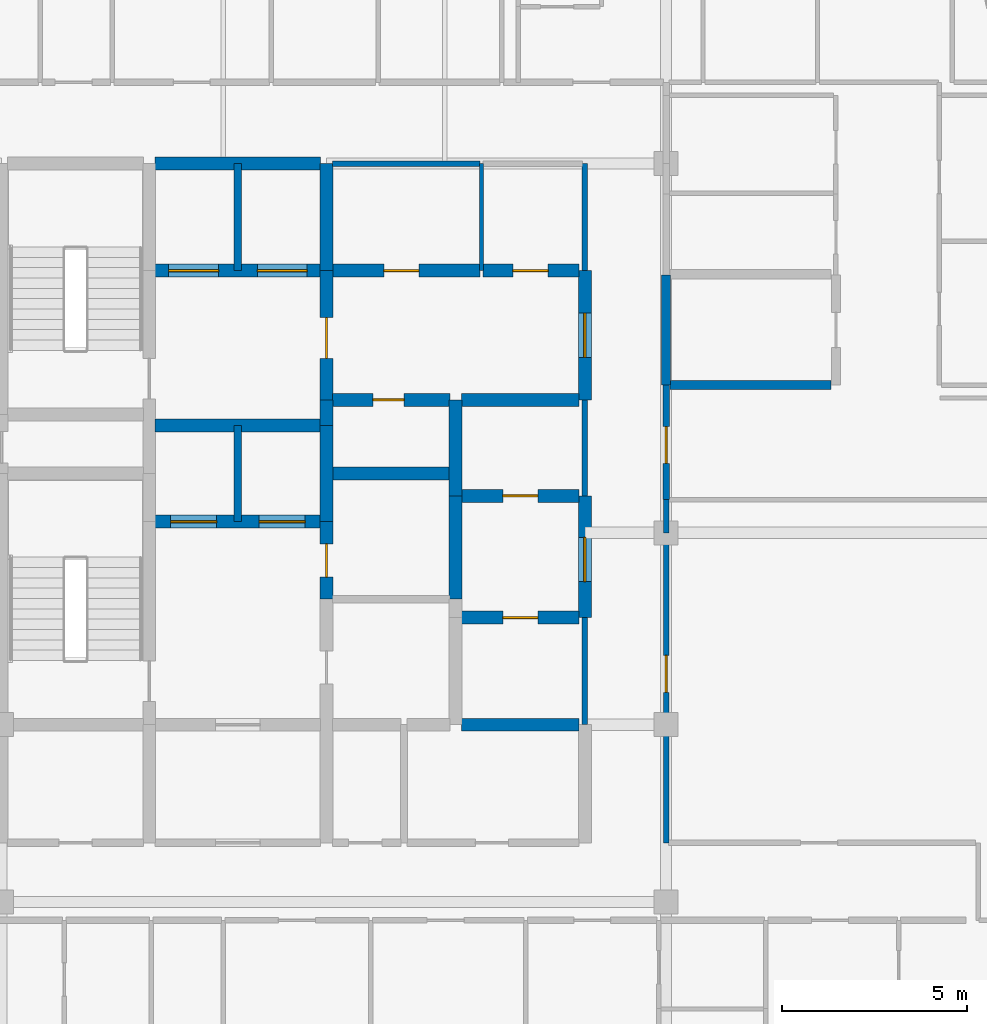
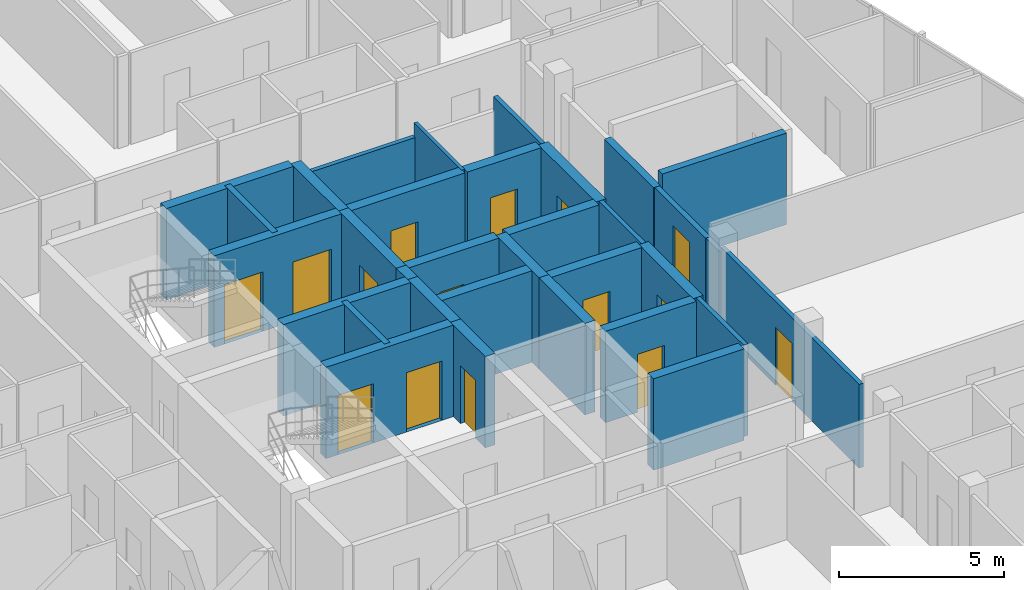
# One storey, part 24 of 28: 33 walls, 15 doors, 15 openings.
"""IFC4 building model written with IfcOpenShell, lengths in metres."""

from ifc_helpers import new_model, si_unit, direction, frame, frame_2d, origin, place, context, subcontext, project, spatial, rectangle, extrude, material, layer, layer_set, type_object, element, fill, save


model = new_model("IFC4")

# Units and contexts
model_context = context("Model", 3, precision=1e-05, world=origin(), true_north=direction((0.0, 1.0)))
body_context = subcontext(model_context, "Body", "Model", "MODEL_VIEW")
ifc_project = project(units=[si_unit("LENGTHUNIT", "METRE"), si_unit("AREAUNIT", "SQUARE_METRE"), si_unit("VOLUMEUNIT", "CUBIC_METRE"), si_unit("PLANEANGLEUNIT", "RADIAN"), si_unit("MASSUNIT", "GRAM", prefix="KILO")], contexts=[model_context])

# Site, building, storey
site_placement = place(None, origin())
site = spatial("IfcSite", under=ifc_project, at=site_placement, CompositionType="ELEMENT")
building_placement = place(site_placement, origin())
building = spatial("IfcBuilding", under=site, at=building_placement, Name="Keshet Zoharim Tower", CompositionType="ELEMENT")
storey_placement = place(building_placement, frame((0.0, 0.0, 303.60009765625)))
storey = spatial("IfcBuildingStorey", under=building, at=storey_placement, Name="L76", CompositionType="ELEMENT", Elevation=303.60009765625)

# Walls
ifc_material_1 = material(Name="Gypsum Plasterboard", Category="gypsum")
ifc_layer_1 = layer(ifc_material_1, 0.14990234375)
ifc_layer_set_1 = layer_set([ifc_layer_1], Name="Gypsum Plasterboard")
wall_type_1 = type_object("IfcWallType", Name="WL-CLIN-150", PredefinedType="STANDARD", material=ifc_layer_set_1)
wall_1_placement = place(storey_placement, frame((30.800048828125, 22.699951171875, 0.0), z_axis=(0.0, 0.0, 1.0), x_axis=(0.0, 1.0, 0.0)))
element("IfcWall", 1, at=wall_1_placement, inside=storey, type_object=wall_type_1, Name="L76 Interior Wall 060", PredefinedType="STANDARD", context=body_context, shape_type="SweptSolid", body=[
    extrude(rectangle(XDim=2.900146484375, YDim=0.14990234375, at=frame_2d((1.4501953125, 0.0))), origin(), (0.0, 0.0, 1.0), 3.389892578125),
])
wall_2_placement = place(storey_placement, frame((30.800048828125, 28.89990234375, 0.0), z_axis=(0.0, 0.0, 1.0), x_axis=(0.0, 1.0, 0.0)))
element("IfcWall", 2, at=wall_2_placement, inside=storey, type_object=wall_type_1, Name="L76 Interior Wall 062", PredefinedType="STANDARD", context=body_context, shape_type="SweptSolid", body=[
    extrude(rectangle(XDim=2.60009765625, YDim=0.14990234375, at=frame_2d((1.300048828125, 0.0))), origin(), (0.0, 0.0, 1.0), 3.389892578125),
])
wall_3_placement = place(storey_placement, frame((30.800048828125, 35.0, 0.0), z_axis=(0.0, 0.0, 1.0), x_axis=(0.0, 1.0, 0.0)))
element("IfcWall", 3, at=wall_3_placement, inside=storey, type_object=wall_type_1, Name="L76 Interior Wall 064", PredefinedType="STANDARD", context=body_context, shape_type="SweptSolid", body=[
    extrude(rectangle(XDim=2.89990234375, YDim=0.14990234375, at=frame_2d((1.449951171875, 0.0))), origin(), (0.0, 0.0, 1.0), 3.389892578125),
])

# Wall, opening, door
wall_4_placement = place(storey_placement, frame((33.0, 19.5, 0.0), z_axis=(0.0, 0.0, 1.0), x_axis=(0.0, 1.0, 0.0)))
wall_4 = element("IfcWall", 4, at=wall_4_placement, inside=storey, type_object=wall_type_1, Name="L76 Interior Wall 069", PredefinedType="STANDARD", context=body_context, shape_type="SweptSolid", body=[
    extrude(rectangle(XDim=8.39990234375, YDim=0.14990234375, at=frame_2d((4.199951171875, 0.0))), origin(), (0.0, 0.0, 1.0), 3.099853515625),
])
opening_1_placement = place(wall_4_placement, frame((4.0791015625, 0.0, 0.0)))
opening_1 = element("IfcOpeningElement", 5, at=opening_1_placement, cuts=wall_4, Name="Opening D-F310", PredefinedType="OPENING", context=body_context, shape_type="SweptSolid", body=[
    extrude(rectangle(XDim=1.0, YDim=2.14990234375, at=frame_2d((0.5, 1.074951171875))), frame((0.0, 0.0849609375, 0.0), z_axis=(0.0, -1.0, 0.0), x_axis=(1.0, 0.0, 0.0)), (0.0, 0.0, 1.0), 0.169921875),
])
ifc_material_2 = material(Name="Hardwood Timber", Category="wood")
door_type_1 = type_object("IfcDoorType", Name="DR-FD30-100", OperationType="NOTDEFINED", PredefinedType="DOOR", material=ifc_material_2)
door_1_placement = place(opening_1_placement, origin())
door_1 = element("IfcDoor", 6, at=door_1_placement, inside=storey, type_object=door_type_1, Name="L76 South West Residents Services Suite Door 1", OperationType="SINGLE_SWING_RIGHT", OverallHeight=2.14990234375, OverallWidth=1.0, PredefinedType="DOOR", context=body_context, shape_type="SweptSolid", body=[
    extrude(rectangle(XDim=1.0, YDim=2.14990234375, at=frame_2d((0.5, 1.074951171875))), frame((0.0, 0.02490234375, 0.0), z_axis=(0.0, -1.0, 0.0), x_axis=(1.0, 0.0, 0.0)), (0.0, 0.0, 1.0), 0.050048828125),
])
fill(opening_1, door_1)

# Walls
wall_5_placement = place(storey_placement, frame((23.9599609375, 37.89990234375, 0.0), z_axis=(0.0, 0.0, 1.0), x_axis=(1.0, 0.0, 0.0)))
element("IfcWall", 7, at=wall_5_placement, inside=storey, type_object=wall_type_1, Name="L76 Interior Wall 156", PredefinedType="STANDARD", context=body_context, shape_type="SweptSolid", body=[
    extrude(rectangle(XDim=3.9951171875, YDim=0.14990234375, at=frame_2d((1.99755859375, 0.0))), origin(), (0.0, 0.0, 1.0), 2.889892578125),
])
wall_6_placement = place(storey_placement, frame((33.0, 27.89990234375, 0.0), z_axis=(0.0, 0.0, 1.0), x_axis=(0.0, 1.0, 0.0)))
element("IfcWall", 8, at=wall_6_placement, inside=storey, type_object=wall_type_1, Name="L76 Interior Wall 069 Part 2", PredefinedType="STANDARD", context=body_context, shape_type="SweptSolid", body=[
    extrude(rectangle(XDim=0.900146484375, YDim=0.14990234375, at=frame_2d((0.4501953125, 0.0))), origin(), (0.0, 0.0, 1.0), 2.889892578125),
])

# Wall, opening, door
ifc_material_3 = material(Name="Concrete C60/75", Category="concrete")
ifc_layer_2 = layer(ifc_material_3, 0.35009765625)
ifc_layer_set_2 = layer_set([ifc_layer_2], Name="Concrete C60/75")
wall_type_2 = type_object("IfcWallType", Name="WL-CORE-350", PredefinedType="SHEAR", material=ifc_layer_set_2)
wall_7_placement = place(storey_placement, frame((23.800048828125, 26.10009765625, 0.0), z_axis=(0.0, 0.0, 1.0), x_axis=(0.0, 1.0, 0.0)))
wall_7 = element("IfcWall", 9, at=wall_7_placement, inside=storey, type_object=wall_type_2, Name="L76 Core Shear Wall 039", PredefinedType="SHEAR", context=body_context, shape_type="SweptSolid", body=[
    extrude(rectangle(XDim=2.099853515625, YDim=0.35009765625, at=frame_2d((1.0498046875, 0.0))), origin(), (0.0, 0.0, 1.0), 3.389892578125),
])
opening_2_placement = place(wall_7_placement, frame((0.60009765625, 0.0, 0.0)))
opening_2 = element("IfcOpeningElement", 10, at=opening_2_placement, cuts=wall_7, Name="Opening D-F690", PredefinedType="OPENING", context=body_context, shape_type="SweptSolid", body=[
    extrude(rectangle(XDim=0.89990234375, YDim=2.14990234375, at=frame_2d((0.449951171875, 1.074951171875))), frame((0.0, 0.18505859375, 0.0), z_axis=(0.0, -1.0, 0.0), x_axis=(1.0, 0.0, 0.0)), (0.0, 0.0, 1.0), 0.3701171875),
])
door_type_2 = type_object("IfcDoorType", Name="DR-FD60-090", OperationType="NOTDEFINED", PredefinedType="DOOR", material=ifc_material_2)
door_2_placement = place(opening_2_placement, origin())
door_2 = element("IfcDoor", 11, at=door_2_placement, inside=storey, type_object=door_type_2, Name="L76 Core Electrical Room Door", OperationType="SINGLE_SWING_LEFT", OverallHeight=2.14990234375, OverallWidth=0.89990234375, PredefinedType="DOOR", context=body_context, shape_type="SweptSolid", body=[
    extrude(rectangle(XDim=0.89990234375, YDim=2.14990234375, at=frame_2d((0.449951171875, 1.074951171875))), frame((0.0, 0.02490234375, 0.0), z_axis=(0.0, -1.0, 0.0), x_axis=(1.0, 0.0, 0.0)), (0.0, 0.0, 1.0), 0.050048828125),
])
fill(opening_2, door_2)

# Walls
wall_8_placement = place(storey_placement, frame((23.800048828125, 28.199951171875, 0.0), z_axis=(0.0, 0.0, 1.0), x_axis=(0.0, 1.0, 0.0)))
element("IfcWall", 12, at=wall_8_placement, inside=storey, type_object=wall_type_2, Name="L76 Core Shear Wall 040", PredefinedType="SHEAR", context=body_context, shape_type="SweptSolid", body=[
    extrude(rectangle(XDim=2.60009765625, YDim=0.35009765625, at=frame_2d((1.300048828125, 0.0))), origin(), (0.0, 0.0, 1.0), 3.389892578125),
])
wall_9_placement = place(storey_placement, frame((23.800048828125, 30.800048828125, 0.0), z_axis=(0.0, 0.0, 1.0), x_axis=(0.0, 1.0, 0.0)))
element("IfcWall", 13, at=wall_9_placement, inside=storey, type_object=wall_type_2, Name="L76 Core Shear Wall 041", PredefinedType="SHEAR", context=body_context, shape_type="SweptSolid", body=[
    extrude(rectangle(XDim=0.699951171875, YDim=0.35009765625, at=frame_2d((0.35009765625, 0.0))), origin(), (0.0, 0.0, 1.0), 3.389892578125),
])

# Wall, opening, door
wall_10_placement = place(storey_placement, frame((23.800048828125, 31.5, 0.0), z_axis=(0.0, 0.0, 1.0), x_axis=(0.0, 1.0, 0.0)))
wall_10 = element("IfcWall", 14, at=wall_10_placement, inside=storey, type_object=wall_type_2, Name="L76 Core Shear Wall 042", PredefinedType="SHEAR", context=body_context, shape_type="SweptSolid", body=[
    extrude(rectangle(XDim=3.5, YDim=0.35009765625, at=frame_2d((1.75, 0.0))), origin(), (0.0, 0.0, 1.0), 3.389892578125),
])
opening_3_placement = place(wall_10_placement, frame((1.126953125, 0.0, 0.0)))
opening_3 = element("IfcOpeningElement", 15, at=opening_3_placement, cuts=wall_10, Name="Opening D-F611", PredefinedType="OPENING", context=body_context, shape_type="SweptSolid", body=[
    extrude(rectangle(XDim=1.10009765625, YDim=2.14990234375, at=frame_2d((0.550048828125, 1.074951171875))), frame((0.0, 0.18505859375, 0.0), z_axis=(0.0, -1.0, 0.0), x_axis=(1.0, 0.0, 0.0)), (0.0, 0.0, 1.0), 0.3701171875),
])
door_type_3 = type_object("IfcDoorType", Name="DR-FD60-110", OperationType="NOTDEFINED", PredefinedType="DOOR", material=ifc_material_2)
door_3_placement = place(opening_3_placement, origin())
door_3 = element("IfcDoor", 16, at=door_3_placement, inside=storey, type_object=door_type_3, Name="L76 Firefighting Lobby Fire Door", OperationType="SINGLE_SWING_RIGHT", OverallHeight=2.14990234375, OverallWidth=1.10009765625, PredefinedType="DOOR", context=body_context, shape_type="SweptSolid", body=[
    extrude(rectangle(XDim=1.10009765625, YDim=2.14990234375, at=frame_2d((0.550048828125, 1.074951171875))), frame((0.0, 0.02490234375, 0.0), z_axis=(0.0, -1.0, 0.0), x_axis=(1.0, 0.0, 0.0)), (0.0, 0.0, 1.0), 0.050048828125),
])
fill(opening_3, door_3)

# Walls
wall_11_placement = place(storey_placement, frame((23.800048828125, 35.0, 0.0), z_axis=(0.0, 0.0, 1.0), x_axis=(0.0, 1.0, 0.0)))
element("IfcWall", 17, at=wall_11_placement, inside=storey, type_object=wall_type_2, Name="L76 Core Shear Wall 043", PredefinedType="SHEAR", context=body_context, shape_type="SweptSolid", body=[
    extrude(rectangle(XDim=2.89990234375, YDim=0.35009765625, at=frame_2d((1.449951171875, 0.0))), origin(), (0.0, 0.0, 1.0), 3.389892578125),
])
wall_12_placement = place(storey_placement, frame((27.300048828125, 26.10009765625, 0.0), z_axis=(0.0, 0.0, 1.0), x_axis=(0.0, 1.0, 0.0)))
element("IfcWall", 18, at=wall_12_placement, inside=storey, type_object=wall_type_2, Name="L76 Core Shear Wall 050", PredefinedType="SHEAR", context=body_context, shape_type="SweptSolid", body=[
    extrude(rectangle(XDim=2.7998046875, YDim=0.35009765625, at=frame_2d((1.39990234375, 0.0))), origin(), (0.0, 0.0, 1.0), 3.389892578125),
])
wall_13_placement = place(storey_placement, frame((27.300048828125, 28.89990234375, 0.0), z_axis=(0.0, 0.0, 1.0), x_axis=(0.0, 1.0, 0.0)))
element("IfcWall", 19, at=wall_13_placement, inside=storey, type_object=wall_type_2, Name="L76 Core Shear Wall 051", PredefinedType="SHEAR", context=body_context, shape_type="SweptSolid", body=[
    extrude(rectangle(XDim=2.60009765625, YDim=0.35009765625, at=frame_2d((1.300048828125, 0.0))), origin(), (0.0, 0.0, 1.0), 3.389892578125),
])

# Wall, opening, door
wall_14_placement = place(storey_placement, frame((30.800048828125, 25.60009765625, 0.0), z_axis=(0.0, 0.0, 1.0), x_axis=(0.0, 1.0, 0.0)))
wall_14 = element("IfcWall", 20, at=wall_14_placement, inside=storey, type_object=wall_type_2, Name="L76 Core Shear Wall 061", PredefinedType="SHEAR", context=body_context, shape_type="SweptSolid", body=[
    extrude(rectangle(XDim=3.2998046875, YDim=0.35009765625, at=frame_2d((1.64990234375, 0.0))), origin(), (0.0, 0.0, 1.0), 3.389892578125),
])
opening_4_placement = place(wall_14_placement, frame((0.97802734375, 0.0, 0.0)))
opening_4 = element("IfcOpeningElement", 21, at=opening_4_placement, cuts=wall_14, Name="Opening D-F612", PredefinedType="OPENING", context=body_context, shape_type="SweptSolid", body=[
    extrude(rectangle(XDim=1.199951171875, YDim=2.199951171875, at=frame_2d((0.60009765625, 1.10009765625))), frame((0.0, 0.18505859375, 0.0), z_axis=(0.0, -1.0, 0.0), x_axis=(1.0, 0.0, 0.0)), (0.0, 0.0, 1.0), 0.3701171875),
])
door_type_4 = type_object("IfcDoorType", Name="DR-FD60-120", OperationType="NOTDEFINED", PredefinedType="DOOR", material=ifc_material_2)
door_4_placement = place(opening_4_placement, origin())
door_4 = element("IfcDoor", 22, at=door_4_placement, inside=storey, type_object=door_type_4, Name="L76 East Lift Lobby Fire Door", OperationType="SINGLE_SWING_LEFT", OverallHeight=2.199951171875, OverallWidth=1.199951171875, PredefinedType="DOOR", context=body_context, shape_type="SweptSolid", body=[
    extrude(rectangle(XDim=1.199951171875, YDim=2.199951171875, at=frame_2d((0.60009765625, 1.10009765625))), frame((0.0, 0.02490234375, 0.0), z_axis=(0.0, -1.0, 0.0), x_axis=(1.0, 0.0, 0.0)), (0.0, 0.0, 1.0), 0.050048828125),
])
fill(opening_4, door_4)

wall_15_placement = place(storey_placement, frame((30.800048828125, 31.5, 0.0), z_axis=(0.0, 0.0, 1.0), x_axis=(0.0, 1.0, 0.0)))
wall_15 = element("IfcWall", 23, at=wall_15_placement, inside=storey, type_object=wall_type_2, Name="L76 Core Shear Wall 063", PredefinedType="SHEAR", context=body_context, shape_type="SweptSolid", body=[
    extrude(rectangle(XDim=3.5, YDim=0.35009765625, at=frame_2d((1.75, 0.0))), origin(), (0.0, 0.0, 1.0), 3.389892578125),
])
opening_5_placement = place(wall_15_placement, frame((1.14990234375, 0.0, 0.0)))
opening_5 = element("IfcOpeningElement", 24, at=opening_5_placement, cuts=wall_15, Name="Opening D-F612", PredefinedType="OPENING", context=body_context, shape_type="SweptSolid", body=[
    extrude(rectangle(XDim=1.199951171875, YDim=2.199951171875, at=frame_2d((0.60009765625, 1.10009765625))), frame((0.0, 0.18505859375, 0.0), z_axis=(0.0, -1.0, 0.0), x_axis=(1.0, 0.0, 0.0)), (0.0, 0.0, 1.0), 0.3701171875),
])
door_5_placement = place(opening_5_placement, origin())
door_5 = element("IfcDoor", 25, at=door_5_placement, inside=storey, type_object=door_type_4, Name="L76 North Lift Lobby East Fire Door", OperationType="SINGLE_SWING_RIGHT", OverallHeight=2.199951171875, OverallWidth=1.199951171875, PredefinedType="DOOR", context=body_context, shape_type="SweptSolid", body=[
    extrude(rectangle(XDim=1.199951171875, YDim=2.199951171875, at=frame_2d((0.60009765625, 1.10009765625))), frame((0.0, 0.02490234375, 0.0), z_axis=(0.0, -1.0, 0.0), x_axis=(1.0, 0.0, 0.0)), (0.0, 0.0, 1.0), 0.050048828125),
])
fill(opening_5, door_5)

# Wall
wall_16_placement = place(storey_placement, frame((27.4599609375, 22.699951171875, 0.0), z_axis=(0.0, 0.0, 1.0), x_axis=(1.0, 0.0, 0.0)))
element("IfcWall", 26, at=wall_16_placement, inside=storey, type_object=wall_type_2, Name="L76 Core Shear Wall 123", PredefinedType="SHEAR", context=body_context, shape_type="SweptSolid", body=[
    extrude(rectangle(XDim=3.179931640625, YDim=0.35009765625, at=frame_2d((1.58984375, 0.0))), origin(), (0.0, 0.0, 1.0), 3.389892578125),
])

# Wall, opening, door
wall_17_placement = place(storey_placement, frame((27.4599609375, 25.60009765625, 0.0), z_axis=(0.0, 0.0, 1.0), x_axis=(1.0, 0.0, 0.0)))
wall_17 = element("IfcWall", 27, at=wall_17_placement, inside=storey, type_object=wall_type_2, Name="L76 Core Shear Wall 126", PredefinedType="SHEAR", context=body_context, shape_type="SweptSolid", body=[
    extrude(rectangle(XDim=3.179931640625, YDim=0.35009765625, at=frame_2d((1.58984375, 0.0))), origin(), (0.0, 0.0, 1.0), 3.389892578125),
])
opening_6_placement = place(wall_17_placement, frame((1.114990234375, 0.0, 0.0)))
opening_6 = element("IfcOpeningElement", 28, at=opening_6_placement, cuts=wall_17, Name="Opening D-F695", PredefinedType="OPENING", context=body_context, shape_type="SweptSolid", body=[
    extrude(rectangle(XDim=0.949951171875, YDim=2.14990234375, at=frame_2d((0.47509765625, 1.074951171875))), frame((0.0, 0.18505859375, 0.0), z_axis=(0.0, -1.0, 0.0), x_axis=(1.0, 0.0, 0.0)), (0.0, 0.0, 1.0), 0.3701171875),
])
door_type_5 = type_object("IfcDoorType", Name="DR-FD60-095", OperationType="NOTDEFINED", PredefinedType="DOOR", material=ifc_material_2)
door_6_placement = place(opening_6_placement, origin())
door_6 = element("IfcDoor", 29, at=door_6_placement, inside=storey, type_object=door_type_5, Name="L76 Study Alcove Door", OperationType="SINGLE_SWING_LEFT", OverallHeight=2.14990234375, OverallWidth=0.949951171875, PredefinedType="DOOR", context=body_context, shape_type="SweptSolid", body=[
    extrude(rectangle(XDim=0.949951171875, YDim=2.14990234375, at=frame_2d((0.47509765625, 1.074951171875))), frame((0.0, 0.02490234375, 0.0), z_axis=(0.0, -1.0, 0.0), x_axis=(1.0, 0.0, 0.0)), (0.0, 0.0, 1.0), 0.050048828125),
])
fill(opening_6, door_6)

# Wall, openings, doors
wall_18_placement = place(storey_placement, frame((19.159912109375, 28.199951171875, 0.0), z_axis=(0.0, 0.0, 1.0), x_axis=(1.0, 0.0, 0.0)))
wall_18 = element("IfcWall", 30, at=wall_18_placement, inside=storey, type_object=wall_type_2, Name="L76 Core Shear Wall 130", PredefinedType="SHEAR", context=body_context, shape_type="SweptSolid", body=[
    extrude(rectangle(XDim=4.47998046875, YDim=0.35009765625, at=frame_2d((2.239990234375, 0.0))), origin(), (0.0, 0.0, 1.0), 3.389892578125),
])
opening_7_placement = place(wall_18_placement, frame((0.4150390625, 0.0, 0.0)))
opening_7 = element("IfcOpeningElement", 31, at=opening_7_placement, cuts=wall_18, Name="Opening LD-01", PredefinedType="OPENING", context=body_context, shape_type="SweptSolid", body=[
    extrude(rectangle(XDim=1.25, YDim=2.199951171875, at=frame_2d((0.625, 1.10009765625))), frame((0.0, 0.18505859375, 0.0), z_axis=(0.0, -1.0, 0.0), x_axis=(1.0, 0.0, 0.0)), (0.0, 0.0, 1.0), 0.3701171875),
])
opening_8_placement = place(wall_18_placement, frame((2.81494140625, 0.0, 0.0)))
opening_8 = element("IfcOpeningElement", 32, at=opening_8_placement, cuts=wall_18, Name="Opening LD-01", PredefinedType="OPENING", context=body_context, shape_type="SweptSolid", body=[
    extrude(rectangle(XDim=1.25, YDim=2.199951171875, at=frame_2d((0.625, 1.10009765625))), frame((0.0, 0.18505859375, 0.0), z_axis=(0.0, -1.0, 0.0), x_axis=(1.0, 0.0, 0.0)), (0.0, 0.0, 1.0), 0.3701171875),
])
ifc_material_4 = material(Name="Steel S355", Category="steel")
door_type_6 = type_object("IfcDoorType", Name="DR-LD01-125", OperationType="DOUBLE_DOOR_SLIDING", PredefinedType="DOOR", material=ifc_material_4)
door_7_placement = place(opening_7_placement, origin())
door_7 = element("IfcDoor", 33, at=door_7_placement, inside=storey, type_object=door_type_6, Name="L76 Passenger Lift Landing Door LF-09", OperationType="DOUBLE_DOOR_SLIDING", OverallHeight=2.199951171875, OverallWidth=1.25, PredefinedType="DOOR", context=body_context, shape_type="SweptSolid", body=[
    extrude(rectangle(XDim=1.25, YDim=2.199951171875, at=frame_2d((0.625, 1.10009765625))), frame((0.0, 0.02490234375, 0.0), z_axis=(0.0, -1.0, 0.0), x_axis=(1.0, 0.0, 0.0)), (0.0, 0.0, 1.0), 0.050048828125),
])
fill(opening_7, door_7)
door_8_placement = place(opening_8_placement, origin())
door_8 = element("IfcDoor", 34, at=door_8_placement, inside=storey, type_object=door_type_6, Name="L76 Passenger Lift Landing Door LF-10", OperationType="DOUBLE_DOOR_SLIDING", OverallHeight=2.199951171875, OverallWidth=1.25, PredefinedType="DOOR", context=body_context, shape_type="SweptSolid", body=[
    extrude(rectangle(XDim=1.25, YDim=2.199951171875, at=frame_2d((0.625, 1.10009765625))), frame((0.0, 0.02490234375, 0.0), z_axis=(0.0, -1.0, 0.0), x_axis=(1.0, 0.0, 0.0)), (0.0, 0.0, 1.0), 0.050048828125),
])
fill(opening_8, door_8)

# Wall, opening, door
wall_19_placement = place(storey_placement, frame((27.4599609375, 28.89990234375, 0.0), z_axis=(0.0, 0.0, 1.0), x_axis=(1.0, 0.0, 0.0)))
wall_19 = element("IfcWall", 35, at=wall_19_placement, inside=storey, type_object=wall_type_2, Name="L76 Core Shear Wall 134", PredefinedType="SHEAR", context=body_context, shape_type="SweptSolid", body=[
    extrude(rectangle(XDim=3.179931640625, YDim=0.35009765625, at=frame_2d((1.58984375, 0.0))), origin(), (0.0, 0.0, 1.0), 3.389892578125),
])
opening_9_placement = place(wall_19_placement, frame((1.114990234375, 0.0, 0.0)))
opening_9 = element("IfcOpeningElement", 36, at=opening_9_placement, cuts=wall_19, Name="Opening D-F695", PredefinedType="OPENING", context=body_context, shape_type="SweptSolid", body=[
    extrude(rectangle(XDim=0.949951171875, YDim=2.14990234375, at=frame_2d((0.47509765625, 1.074951171875))), frame((0.0, 0.18505859375, 0.0), z_axis=(0.0, -1.0, 0.0), x_axis=(1.0, 0.0, 0.0)), (0.0, 0.0, 1.0), 0.3701171875),
])
door_9_placement = place(opening_9_placement, frame((0.949951171875, 0.0, 0.0), z_axis=(0.0, 0.0, 1.0), x_axis=(-1.0, 0.0, 0.0)))
door_9 = element("IfcDoor", 37, at=door_9_placement, inside=storey, type_object=door_type_5, Name="L76 Parcel Store Door", OperationType="SINGLE_SWING_RIGHT", OverallHeight=2.14990234375, OverallWidth=0.949951171875, PredefinedType="DOOR", context=body_context, shape_type="SweptSolid", body=[
    extrude(rectangle(XDim=0.949951171875, YDim=2.14990234375, at=frame_2d((0.47509765625, 1.074951171875))), frame((0.0, 0.02490234375, 0.0), z_axis=(0.0, -1.0, 0.0), x_axis=(1.0, 0.0, 0.0)), (0.0, 0.0, 1.0), 0.050048828125),
])
fill(opening_9, door_9)

# Walls
wall_20_placement = place(storey_placement, frame((23.9599609375, 29.5, 0.0), z_axis=(0.0, 0.0, 1.0), x_axis=(1.0, 0.0, 0.0)))
element("IfcWall", 38, at=wall_20_placement, inside=storey, type_object=wall_type_2, Name="L76 Core Shear Wall 138", PredefinedType="SHEAR", context=body_context, shape_type="SweptSolid", body=[
    extrude(rectangle(XDim=3.179931640625, YDim=0.35009765625, at=frame_2d((1.58984375, 0.0))), origin(), (0.0, 0.0, 1.0), 3.389892578125),
])
wall_21_placement = place(storey_placement, frame((19.159912109375, 30.800048828125, 0.0), z_axis=(0.0, 0.0, 1.0), x_axis=(1.0, 0.0, 0.0)))
element("IfcWall", 39, at=wall_21_placement, inside=storey, type_object=wall_type_2, Name="L76 Core Shear Wall 139", PredefinedType="SHEAR", context=body_context, shape_type="SweptSolid", body=[
    extrude(rectangle(XDim=4.47998046875, YDim=0.35009765625, at=frame_2d((2.239990234375, 0.0))), origin(), (0.0, 0.0, 1.0), 3.389892578125),
])

# Wall, opening, door
wall_22_placement = place(storey_placement, frame((23.9599609375, 31.5, 0.0), z_axis=(0.0, 0.0, 1.0), x_axis=(1.0, 0.0, 0.0)))
wall_22 = element("IfcWall", 40, at=wall_22_placement, inside=storey, type_object=wall_type_2, Name="L76 Core Shear Wall 141", PredefinedType="SHEAR", context=body_context, shape_type="SweptSolid", body=[
    extrude(rectangle(XDim=3.179931640625, YDim=0.35009765625, at=frame_2d((1.58984375, 0.0))), origin(), (0.0, 0.0, 1.0), 3.389892578125),
])
opening_10_placement = place(wall_22_placement, frame((1.093994140625, 0.0, 0.0)))
opening_10 = element("IfcOpeningElement", 41, at=opening_10_placement, cuts=wall_22, Name="Opening D-RS85", PredefinedType="OPENING", context=body_context, shape_type="SweptSolid", body=[
    extrude(rectangle(XDim=0.85009765625, YDim=2.10009765625, at=frame_2d((0.425048828125, 1.050048828125))), frame((0.0, 0.18505859375, 0.0), z_axis=(0.0, -1.0, 0.0), x_axis=(1.0, 0.0, 0.0)), (0.0, 0.0, 1.0), 0.3701171875),
])
door_type_7 = type_object("IfcDoorType", Name="DR-RIS-085", OperationType="NOTDEFINED", PredefinedType="DOOR", material=ifc_material_2)
door_10_placement = place(opening_10_placement, origin())
door_10 = element("IfcDoor", 42, at=door_10_placement, inside=storey, type_object=door_type_7, Name="L76 Telecom Riser Access Cupboard Door", OperationType="SINGLE_SWING_LEFT", OverallHeight=2.10009765625, OverallWidth=0.85009765625, PredefinedType="DOOR", context=body_context, shape_type="SweptSolid", body=[
    extrude(rectangle(XDim=0.85009765625, YDim=2.10009765625, at=frame_2d((0.425048828125, 1.050048828125))), frame((0.0, 0.02490234375, 0.0), z_axis=(0.0, -1.0, 0.0), x_axis=(1.0, 0.0, 0.0)), (0.0, 0.0, 1.0), 0.050048828125),
])
fill(opening_10, door_10)

# Wall
wall_23_placement = place(storey_placement, frame((27.4599609375, 31.5, 0.0), z_axis=(0.0, 0.0, 1.0), x_axis=(1.0, 0.0, 0.0)))
element("IfcWall", 43, at=wall_23_placement, inside=storey, type_object=wall_type_2, Name="L76 Core Shear Wall 142", PredefinedType="SHEAR", context=body_context, shape_type="SweptSolid", body=[
    extrude(rectangle(XDim=3.179931640625, YDim=0.35009765625, at=frame_2d((1.58984375, 0.0))), origin(), (0.0, 0.0, 1.0), 3.389892578125),
])

# Wall, openings, doors
wall_24_placement = place(storey_placement, frame((19.159912109375, 35.0, 0.0), z_axis=(0.0, 0.0, 1.0), x_axis=(1.0, 0.0, 0.0)))
wall_24 = element("IfcWall", 44, at=wall_24_placement, inside=storey, type_object=wall_type_2, Name="L76 Core Shear Wall 149", PredefinedType="SHEAR", context=body_context, shape_type="SweptSolid", body=[
    extrude(rectangle(XDim=4.47998046875, YDim=0.35009765625, at=frame_2d((2.239990234375, 0.0))), origin(), (0.0, 0.0, 1.0), 3.389892578125),
])
opening_11_placement = place(wall_24_placement, frame((0.364990234375, 0.0, 0.0)))
opening_11 = element("IfcOpeningElement", 45, at=opening_11_placement, cuts=wall_24, Name="Opening LD-02", PredefinedType="OPENING", context=body_context, shape_type="SweptSolid", body=[
    extrude(rectangle(XDim=1.35009765625, YDim=2.199951171875, at=frame_2d((0.675048828125, 1.10009765625))), frame((0.0, 0.18505859375, 0.0), z_axis=(0.0, -1.0, 0.0), x_axis=(1.0, 0.0, 0.0)), (0.0, 0.0, 1.0), 0.3701171875),
])
opening_12_placement = place(wall_24_placement, frame((2.764892578125, 0.0, 0.0)))
opening_12 = element("IfcOpeningElement", 46, at=opening_12_placement, cuts=wall_24, Name="Opening LD-02", PredefinedType="OPENING", context=body_context, shape_type="SweptSolid", body=[
    extrude(rectangle(XDim=1.35009765625, YDim=2.199951171875, at=frame_2d((0.675048828125, 1.10009765625))), frame((0.0, 0.18505859375, 0.0), z_axis=(0.0, -1.0, 0.0), x_axis=(1.0, 0.0, 0.0)), (0.0, 0.0, 1.0), 0.3701171875),
])
door_type_8 = type_object("IfcDoorType", Name="DR-LD02-135", OperationType="DOUBLE_DOOR_SLIDING", PredefinedType="DOOR", material=ifc_material_4)
door_11_placement = place(opening_11_placement, origin())
door_11 = element("IfcDoor", 47, at=door_11_placement, inside=storey, type_object=door_type_8, Name="L76 Firefighting Lift Landing Door FF-01", OperationType="DOUBLE_DOOR_SLIDING", OverallHeight=2.199951171875, OverallWidth=1.35009765625, PredefinedType="DOOR", context=body_context, shape_type="SweptSolid", body=[
    extrude(rectangle(XDim=1.35009765625, YDim=2.199951171875, at=frame_2d((0.675048828125, 1.10009765625))), frame((0.0, 0.02490234375, 0.0), z_axis=(0.0, -1.0, 0.0), x_axis=(1.0, 0.0, 0.0)), (0.0, 0.0, 1.0), 0.050048828125),
])
fill(opening_11, door_11)
door_12_placement = place(opening_12_placement, origin())
door_12 = element("IfcDoor", 48, at=door_12_placement, inside=storey, type_object=door_type_8, Name="L76 Firefighting Lift Landing Door FF-02", OperationType="DOUBLE_DOOR_SLIDING", OverallHeight=2.199951171875, OverallWidth=1.35009765625, PredefinedType="DOOR", context=body_context, shape_type="SweptSolid", body=[
    extrude(rectangle(XDim=1.35009765625, YDim=2.199951171875, at=frame_2d((0.675048828125, 1.10009765625))), frame((0.0, 0.02490234375, 0.0), z_axis=(0.0, -1.0, 0.0), x_axis=(1.0, 0.0, 0.0)), (0.0, 0.0, 1.0), 0.050048828125),
])
fill(opening_12, door_12)

# Wall, opening, door
wall_25_placement = place(storey_placement, frame((23.9599609375, 35.0, 0.0), z_axis=(0.0, 0.0, 1.0), x_axis=(1.0, 0.0, 0.0)))
wall_25 = element("IfcWall", 49, at=wall_25_placement, inside=storey, type_object=wall_type_2, Name="L76 Core Shear Wall 150", PredefinedType="SHEAR", context=body_context, shape_type="SweptSolid", body=[
    extrude(rectangle(XDim=3.9951171875, YDim=0.35009765625, at=frame_2d((1.99755859375, 0.0))), origin(), (0.0, 0.0, 1.0), 3.389892578125),
])
opening_13_placement = place(wall_25_placement, frame((1.39306640625, 0.0, 0.0)))
opening_13 = element("IfcOpeningElement", 50, at=opening_13_placement, cuts=wall_25, Name="Opening D-F695", PredefinedType="OPENING", context=body_context, shape_type="SweptSolid", body=[
    extrude(rectangle(XDim=0.949951171875, YDim=2.14990234375, at=frame_2d((0.47509765625, 1.074951171875))), frame((0.0, 0.18505859375, 0.0), z_axis=(0.0, -1.0, 0.0), x_axis=(1.0, 0.0, 0.0)), (0.0, 0.0, 1.0), 0.3701171875),
])
door_13_placement = place(opening_13_placement, frame((0.949951171875, 0.0, 0.0), z_axis=(0.0, 0.0, 1.0), x_axis=(-1.0, 0.0, 0.0)))
door_13 = element("IfcDoor", 51, at=door_13_placement, inside=storey, type_object=door_type_5, Name="L76 Laundry Room Door", OperationType="SINGLE_SWING_RIGHT", OverallHeight=2.14990234375, OverallWidth=0.949951171875, PredefinedType="DOOR", context=body_context, shape_type="SweptSolid", body=[
    extrude(rectangle(XDim=0.949951171875, YDim=2.14990234375, at=frame_2d((0.47509765625, 1.074951171875))), frame((0.0, 0.02490234375, 0.0), z_axis=(0.0, -1.0, 0.0), x_axis=(1.0, 0.0, 0.0)), (0.0, 0.0, 1.0), 0.050048828125),
])
fill(opening_13, door_13)

wall_26_placement = place(storey_placement, frame((28.044921875, 35.0, 0.0), z_axis=(0.0, 0.0, 1.0), x_axis=(1.0, 0.0, 0.0)))
wall_26 = element("IfcWall", 52, at=wall_26_placement, inside=storey, type_object=wall_type_2, Name="L76 Core Shear Wall 151", PredefinedType="SHEAR", context=body_context, shape_type="SweptSolid", body=[
    extrude(rectangle(XDim=2.594970703125, YDim=0.35009765625, at=frame_2d((1.29736328125, 0.0))), origin(), (0.0, 0.0, 1.0), 3.389892578125),
])
opening_14_placement = place(wall_26_placement, frame((0.805908203125, 0.0, 0.0)))
opening_14 = element("IfcOpeningElement", 53, at=opening_14_placement, cuts=wall_26, Name="Opening D-F695", PredefinedType="OPENING", context=body_context, shape_type="SweptSolid", body=[
    extrude(rectangle(XDim=0.949951171875, YDim=2.14990234375, at=frame_2d((0.47509765625, 1.074951171875))), frame((0.0, 0.18505859375, 0.0), z_axis=(0.0, -1.0, 0.0), x_axis=(1.0, 0.0, 0.0)), (0.0, 0.0, 1.0), 0.3701171875),
])
door_14_placement = place(opening_14_placement, frame((0.949951171875, 0.0, 0.0), z_axis=(0.0, 0.0, 1.0), x_axis=(-1.0, 0.0, 0.0)))
door_14 = element("IfcDoor", 54, at=door_14_placement, inside=storey, type_object=door_type_5, Name="L76 Quiet Study Room Door", OperationType="SINGLE_SWING_LEFT", OverallHeight=2.14990234375, OverallWidth=0.949951171875, PredefinedType="DOOR", context=body_context, shape_type="SweptSolid", body=[
    extrude(rectangle(XDim=0.949951171875, YDim=2.14990234375, at=frame_2d((0.47509765625, 1.074951171875))), frame((0.0, 0.02490234375, 0.0), z_axis=(0.0, -1.0, 0.0), x_axis=(1.0, 0.0, 0.0)), (0.0, 0.0, 1.0), 0.050048828125),
])
fill(opening_14, door_14)

# Wall
wall_27_placement = place(storey_placement, frame((19.159912109375, 37.89990234375, 0.0), z_axis=(0.0, 0.0, 1.0), x_axis=(1.0, 0.0, 0.0)))
element("IfcWall", 55, at=wall_27_placement, inside=storey, type_object=wall_type_2, Name="L76 Core Shear Wall 155", PredefinedType="SHEAR", context=body_context, shape_type="SweptSolid", body=[
    extrude(rectangle(XDim=4.47998046875, YDim=0.35009765625, at=frame_2d((2.239990234375, 0.0))), origin(), (0.0, 0.0, 1.0), 3.389892578125),
])

# Wall, opening, door
ifc_layer_3 = layer(ifc_material_1, 0.179931640625)
ifc_layer_set_3 = layer_set([ifc_layer_3], Name="Gypsum Plasterboard")
wall_type_3 = type_object("IfcWallType", Name="WL-CORR-180", PredefinedType="STANDARD", material=ifc_layer_set_3)
wall_28_placement = place(storey_placement, frame((33.0, 28.800048828125, 0.0), z_axis=(0.0, 0.0, 1.0), x_axis=(0.0, 1.0, 0.0)))
wall_28 = element("IfcWall", 56, at=wall_28_placement, inside=storey, type_object=wall_type_3, Name="L76 Interior Wall 070", PredefinedType="STANDARD", context=body_context, shape_type="SweptSolid", body=[
    extrude(rectangle(XDim=3.099853515625, YDim=0.179931640625, at=frame_2d((1.5498046875, 0.0))), origin(), (0.0, 0.0, 1.0), 2.889892578125),
])
opening_15_placement = place(wall_28_placement, frame((0.97802734375, 0.0, 0.0)))
opening_15 = element("IfcOpeningElement", 57, at=opening_15_placement, cuts=wall_28, Name="Opening D-F310", PredefinedType="OPENING", context=body_context, shape_type="SweptSolid", body=[
    extrude(rectangle(XDim=1.0, YDim=2.14990234375, at=frame_2d((0.5, 1.074951171875))), frame((0.0, 0.10009765625, 0.0), z_axis=(0.0, -1.0, 0.0), x_axis=(1.0, 0.0, 0.0)), (0.0, 0.0, 1.0), 0.199951171875),
])
door_15_placement = place(opening_15_placement, origin())
door_15 = element("IfcDoor", 58, at=door_15_placement, inside=storey, type_object=door_type_1, Name="Apartment 7609 Entrance Door", OperationType="SINGLE_SWING_LEFT", OverallHeight=2.14990234375, OverallWidth=1.0, PredefinedType="DOOR", context=body_context, shape_type="SweptSolid", body=[
    extrude(rectangle(XDim=1.0, YDim=2.14990234375, at=frame_2d((0.5, 1.074951171875))), frame((0.0, 0.02490234375, 0.0), z_axis=(0.0, -1.0, 0.0), x_axis=(1.0, 0.0, 0.0)), (0.0, 0.0, 1.0), 0.050048828125),
])
fill(opening_15, door_15)

# Walls
ifc_material_5 = material(Name="Concrete C50/60", Category="concrete")
ifc_layer_4 = layer(ifc_material_5, 0.199951171875)
ifc_layer_set_4 = layer_set([ifc_layer_4], Name="Concrete C50/60")
wall_type_4 = type_object("IfcWallType", Name="WL-FIRE-200", PredefinedType="STANDARD", material=ifc_layer_set_4)
wall_29_placement = place(storey_placement, frame((21.39990234375, 28.199951171875, 0.0), z_axis=(0.0, 0.0, 1.0), x_axis=(0.0, 1.0, 0.0)))
element("IfcWall", 59, at=wall_29_placement, inside=storey, type_object=wall_type_4, Name="L76 Interior Wall 033", PredefinedType="STANDARD", context=body_context, shape_type="SweptSolid", body=[
    extrude(rectangle(XDim=2.60009765625, YDim=0.199951171875, at=frame_2d((1.300048828125, 0.0))), origin(), (0.0, 0.0, 1.0), 3.389892578125),
])
wall_30_placement = place(storey_placement, frame((21.39990234375, 35.0, 0.0), z_axis=(0.0, 0.0, 1.0), x_axis=(0.0, 1.0, 0.0)))
element("IfcWall", 60, at=wall_30_placement, inside=storey, type_object=wall_type_4, Name="L76 Interior Wall 034", PredefinedType="STANDARD", context=body_context, shape_type="SweptSolid", body=[
    extrude(rectangle(XDim=2.89990234375, YDim=0.199951171875, at=frame_2d((1.449951171875, 0.0))), origin(), (0.0, 0.0, 1.0), 3.389892578125),
])
ifc_layer_5 = layer(ifc_material_5, 0.25)
ifc_layer_set_5 = layer_set([ifc_layer_5], Name="Concrete C50/60")
wall_type_5 = type_object("IfcWallType", Name="WL-MAMAD-250", PredefinedType="STANDARD", material=ifc_layer_set_5)
wall_31_placement = place(storey_placement, frame((33.0, 31.89990234375, 0.0), z_axis=(0.0, 0.0, 1.0), x_axis=(0.0, 1.0, 0.0)))
element("IfcWall", 61, at=wall_31_placement, inside=storey, type_object=wall_type_5, Name="L76 Interior Wall 071", PredefinedType="STANDARD", context=body_context, shape_type="SweptSolid", body=[
    extrude(rectangle(XDim=2.983154296875, YDim=0.25, at=frame_2d((1.49169921875, 0.0))), origin(), (0.0, 0.0, 1.0), 2.889892578125),
])
wall_32_placement = place(storey_placement, frame((33.110107421875, 31.89990234375, 0.0), z_axis=(0.0, 0.0, 1.0), x_axis=(1.0, 0.0, 0.0)))
element("IfcWall", 62, at=wall_32_placement, inside=storey, type_object=wall_type_5, Name="L76 Interior Wall 144", PredefinedType="STANDARD", context=body_context, shape_type="SweptSolid", body=[
    extrude(rectangle(XDim=4.35986328125, YDim=0.25, at=frame_2d((2.179931640625, 0.0))), origin(), (0.0, 0.0, 1.0), 3.389892578125),
])
ifc_layer_6 = layer(ifc_material_1, 0.1201171875)
ifc_layer_set_6 = layer_set([ifc_layer_6], Name="Gypsum Plasterboard")
wall_type_6 = type_object("IfcWallType", Name="WL-PART-120", PredefinedType="PARTITIONING", material=ifc_layer_set_6)
wall_33_placement = place(storey_placement, frame((28.0, 35.0, 0.0), z_axis=(0.0, 0.0, 1.0), x_axis=(0.0, 1.0, 0.0)))
element("IfcWall", 63, at=wall_33_placement, inside=storey, type_object=wall_type_6, Name="L76 Interior Wall 052", PredefinedType="PARTITIONING", context=body_context, shape_type="SweptSolid", body=[
    extrude(rectangle(XDim=2.89990234375, YDim=0.1201171875, at=frame_2d((1.449951171875, 0.0))), origin(), (0.0, 0.0, 1.0), 3.389892578125),
])

save(model, "model.ifc")
